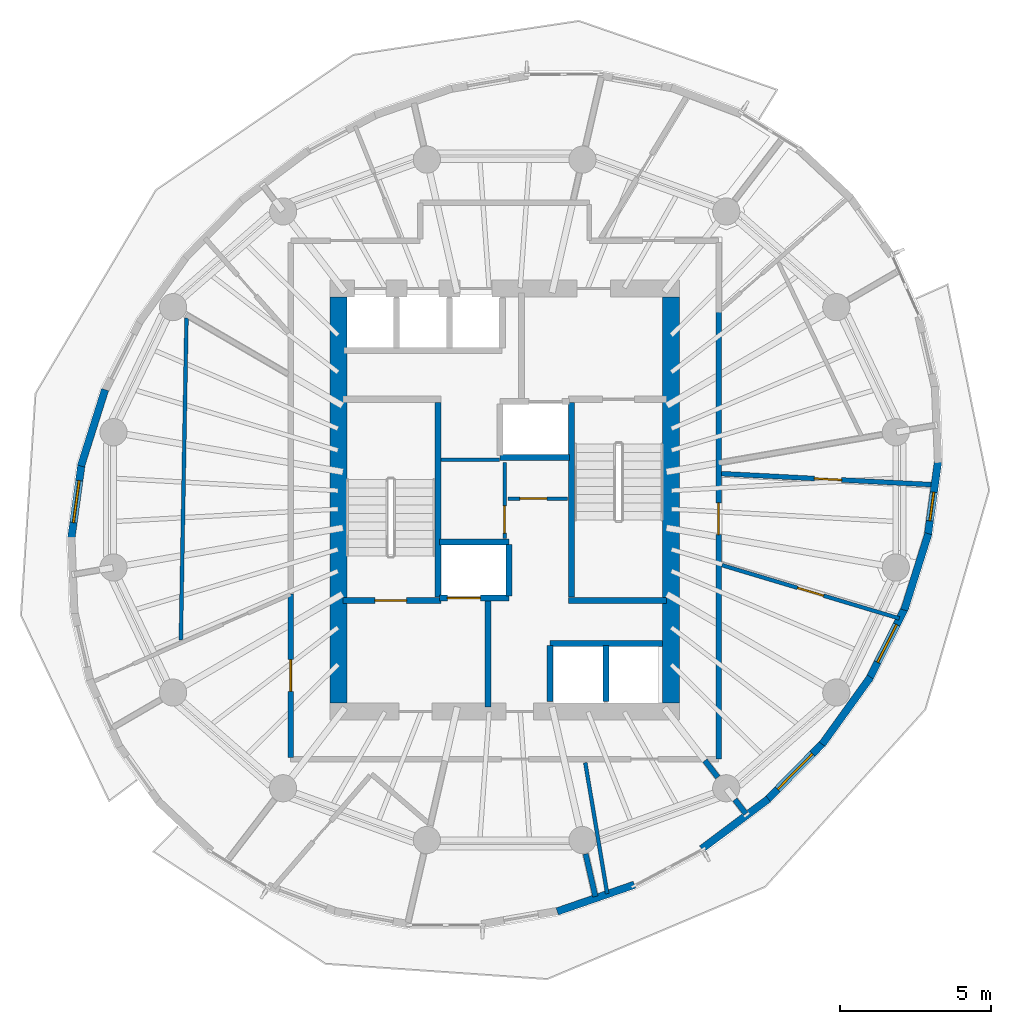
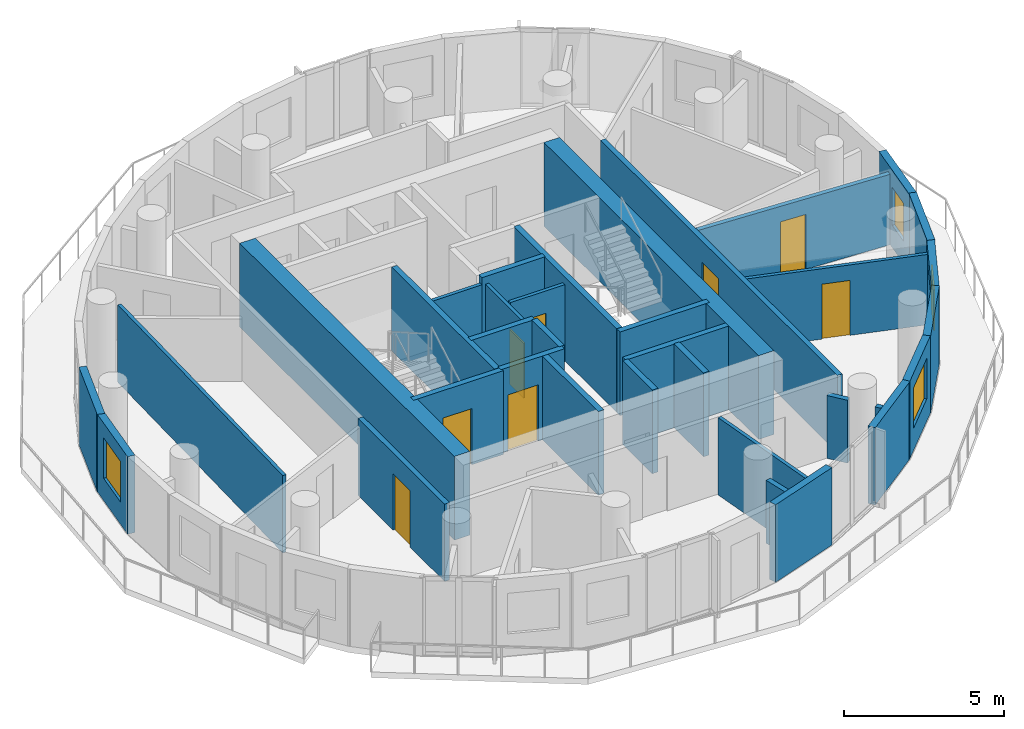
# One storey, part 5 of 10: 35 walls, 8 doors, 4 windows, 12 openings.
"""IFC4 building model written with IfcOpenShell, lengths in metres."""

from ifc_helpers import new_model, si_unit, direction, frame, frame_2d, origin, place, context, subcontext, project, spatial, rectangle, extrude, material, layer, layer_set, type_object, element, fill, save


model = new_model("IFC4")

# Units and contexts
model_context = context("Model", 3, precision=1e-05, world=origin(), true_north=direction((0.0, 1.0)))
body_context = subcontext(model_context, "Body", "Model", "MODEL_VIEW")
ifc_project = project(units=[si_unit("LENGTHUNIT", "METRE"), si_unit("AREAUNIT", "SQUARE_METRE"), si_unit("VOLUMEUNIT", "CUBIC_METRE"), si_unit("PLANEANGLEUNIT", "RADIAN"), si_unit("MASSUNIT", "GRAM", prefix="KILO")], contexts=[model_context])

# Site, building, storey
site_placement = place(None, origin())
site = spatial("IfcSite", under=ifc_project, at=site_placement, CompositionType="ELEMENT")
building_placement = place(site_placement, origin())
building = spatial("IfcBuilding", under=site, at=building_placement, Name="Veldorim Arch Residences", CompositionType="ELEMENT")
storey_placement = place(building_placement, frame((0.0, 0.0, 172.639892578125)))
storey = spatial("IfcBuildingStorey", under=building, at=storey_placement, Name="L51", CompositionType="ELEMENT", Elevation=172.639892578125)

# Wall, opening, door
ifc_material_1 = material(Name="Acoustic Gypsum Board", Category="gypsum")
ifc_layer_1 = layer(ifc_material_1, 0.125, Name="Acoustic Stud Room Partition Wall 125")
ifc_layer_set_1 = layer_set([ifc_layer_1], Name="Acoustic Gypsum Board")
wall_type_1 = type_object("IfcWallType", Name="Acoustic Stud Room Partition Wall 125", PredefinedType="PARTITIONING", material=ifc_layer_set_1)
wall_1_placement = place(storey_placement, frame((32.0, 22.719970703125, 0.0), z_axis=(0.0, 0.0, 1.0), x_axis=(0.0, 1.0, 0.0)))
wall_1 = element("IfcWall", 1, at=wall_1_placement, inside=storey, type_object=wall_type_1, Name="L51 interior wall WL-CA-L51-1", PredefinedType="PARTITIONING", context=body_context, shape_type="SweptSolid", body=[
    extrude(rectangle(XDim=2.52001953125, YDim=0.125, at=frame_2d((1.260009765625, 0.0))), origin(), (0.0, 0.0, 1.0), 2.955078125),
])
opening_1_placement = place(wall_1_placement, frame((0.179931640625, 0.0, 0.0)))
opening_1 = element("IfcOpeningElement", 2, at=opening_1_placement, cuts=wall_1, Name="Opening DR-SVC", PredefinedType="OPENING", context=body_context, shape_type="SweptSolid", body=[
    extrude(rectangle(XDim=0.89990234375, YDim=2.10009765625, at=frame_2d((0.449951171875, 1.050048828125))), frame((0.0, 0.072509765625, 0.0), z_axis=(0.0, -1.0, 0.0), x_axis=(1.0, 0.0, 0.0)), (0.0, 0.0, 1.0), 0.14501953125),
])
ifc_material_2 = material(Name="Fire-Rated Steel", Category="steel")
door_type_1 = type_object("IfcDoorType", Name="Riser, Shelter & Plant Room Rated Steel Door 900x2100", OperationType="SINGLE_SWING_LEFT", PredefinedType="DOOR", material=ifc_material_2)
door_1_placement = place(opening_1_placement, origin())
door_1 = element("IfcDoor", 3, at=door_1_placement, inside=storey, type_object=door_type_1, Name="L51 interior door DR-L51-CA2", OperationType="SINGLE_SWING_RIGHT", OverallHeight=2.10009765625, OverallWidth=0.89990234375, PredefinedType="DOOR", context=body_context, shape_type="SweptSolid", body=[
    extrude(rectangle(XDim=0.89990234375, YDim=2.10009765625, at=frame_2d((0.449951171875, 1.050048828125))), frame((0.0, 0.02490234375, 0.0), z_axis=(0.0, -1.0, 0.0), x_axis=(1.0, 0.0, 0.0)), (0.0, 0.0, 1.0), 0.050048828125),
])
fill(opening_1, door_1)

wall_2_placement = place(storey_placement, frame((32.110107421875, 24.0400390625, 0.0), z_axis=(0.0, 0.0, 1.0), x_axis=(1.0, 0.0, 0.0)))
wall_2 = element("IfcWall", 4, at=wall_2_placement, inside=storey, type_object=wall_type_1, Name="L51 interior wall WL-CA-L51-3", PredefinedType="PARTITIONING", context=body_context, shape_type="SweptSolid", body=[
    extrude(rectangle(XDim=1.969970703125, YDim=0.125, at=frame_2d((0.98486328125, 0.0))), origin(), (0.0, 0.0, 1.0), 2.955078125),
])
opening_2_placement = place(wall_2_placement, frame((0.389892578125, 0.0, 0.0)))
opening_2 = element("IfcOpeningElement", 5, at=opening_2_placement, cuts=wall_2, Name="Opening DR-INT", PredefinedType="OPENING", context=body_context, shape_type="SweptSolid", body=[
    extrude(rectangle(XDim=0.89990234375, YDim=2.10009765625, at=frame_2d((0.449951171875, 1.050048828125))), frame((0.0, 0.072509765625, 0.0), z_axis=(0.0, -1.0, 0.0), x_axis=(1.0, 0.0, 0.0)), (0.0, 0.0, 1.0), 0.14501953125),
])
ifc_material_3 = material(Name="Engineered Timber", Category="wood")
door_type_2 = type_object("IfcDoorType", Name="Apartment Internal Room Timber Door 900x2100", OperationType="SINGLE_SWING_LEFT", PredefinedType="DOOR", material=ifc_material_3)
door_2_placement = place(opening_2_placement, origin())
door_2 = element("IfcDoor", 6, at=door_2_placement, inside=storey, type_object=door_type_2, Name="L51 interior door DR-L51-CA1", OperationType="SINGLE_SWING_LEFT", OverallHeight=2.10009765625, OverallWidth=0.89990234375, PredefinedType="DOOR", context=body_context, shape_type="SweptSolid", body=[
    extrude(rectangle(XDim=0.89990234375, YDim=2.10009765625, at=frame_2d((0.449951171875, 1.050048828125))), frame((0.0, 0.02490234375, 0.0), z_axis=(0.0, -1.0, 0.0), x_axis=(1.0, 0.0, 0.0)), (0.0, 0.0, 1.0), 0.050048828125),
])
fill(opening_2, door_2)

# Walls
wall_3_placement = place(storey_placement, frame((29.889892578125, 25.330078125, 0.0), z_axis=(0.0, 0.0, 1.0), x_axis=(1.0, 0.0, 0.0)))
element("IfcWall", 7, at=wall_3_placement, inside=storey, type_object=wall_type_1, Name="L51 interior wall WL-CA-L51-N", PredefinedType="PARTITIONING", context=body_context, shape_type="SweptSolid", body=[
    extrude(rectangle(XDim=1.940185546875, YDim=0.125, at=frame_2d((0.97021484375, 0.0))), origin(), (0.0, 0.0, 1.0), 2.955078125),
])
wall_4_placement = place(storey_placement, frame((35.3935546875, 10.964599609375, 0.0), z_axis=(0.0, 0.0, 1.0), x_axis=(-0.164741128257, 0.986336839351, 0.0)))
element("IfcWall", 8, at=wall_4_placement, inside=storey, type_object=wall_type_1, Name="L51 interior wall WL-RES-L51-011", PredefinedType="PARTITIONING", context=body_context, shape_type="SweptSolid", body=[
    extrude(rectangle(XDim=4.39697265625, YDim=0.125, at=frame_2d((2.198486328125, 0.0))), origin(), (0.0, 0.0, 1.0), 2.955078125),
])

# Wall, opening, door
wall_5_placement = place(storey_placement, frame((45.06103515625, 20.07666015625, 0.0), z_axis=(0.0, 0.0, 1.0), x_axis=(-0.957731888454, 0.287662353878, 0.0)))
wall_5 = element("IfcWall", 9, at=wall_5_placement, inside=storey, type_object=wall_type_1, Name="L51 interior wall WL-RES-L51-015", PredefinedType="PARTITIONING", context=body_context, shape_type="SweptSolid", body=[
    extrude(rectangle(XDim=6.125, YDim=0.125, at=frame_2d((3.0625, 0.0))), origin(), (0.0, 0.0, 1.0), 2.692138671875),
])
opening_3_placement = place(wall_5_placement, frame((2.612548828125, 0.0, 0.0)))
opening_3 = element("IfcOpeningElement", 10, at=opening_3_placement, cuts=wall_5, Name="Opening DR-INT", PredefinedType="OPENING", context=body_context, shape_type="SweptSolid", body=[
    extrude(rectangle(XDim=0.89990234375, YDim=2.10009765625, at=frame_2d((0.449951171875, 1.050048828125))), frame((0.0, 0.072509765625, 0.0), z_axis=(0.0, -1.0, 0.0), x_axis=(1.0, 0.0, 0.0)), (0.0, 0.0, 1.0), 0.14501953125),
])
door_3_placement = place(opening_3_placement, origin())
door_3 = element("IfcDoor", 11, at=door_3_placement, inside=storey, type_object=door_type_2, Name="L51 interior door DR-RES-L51-005", OperationType="SINGLE_SWING_LEFT", OverallHeight=2.10009765625, OverallWidth=0.89990234375, PredefinedType="DOOR", context=body_context, shape_type="SweptSolid", body=[
    extrude(rectangle(XDim=0.89990234375, YDim=2.10009765625, at=frame_2d((0.449951171875, 1.050048828125))), frame((0.0, 0.02490234375, 0.0), z_axis=(0.0, -1.0, 0.0), x_axis=(1.0, 0.0, 0.0)), (0.0, 0.0, 1.0), 0.050048828125),
])
fill(opening_3, door_3)

# Walls
wall_6_placement = place(storey_placement, frame((21.46923828125, 30.0185546875, 0.0), z_axis=(0.0, 0.0, 1.0), x_axis=(-0.017526694913, -0.999846395686, 0.0)))
element("IfcWall", 12, at=wall_6_placement, inside=storey, type_object=wall_type_1, Name="L51 interior wall WL-RES-L51-027", PredefinedType="PARTITIONING", context=body_context, shape_type="SweptSolid", body=[
    extrude(rectangle(XDim=10.65625, YDim=0.125, at=frame_2d((5.328125, 0.0))), origin(), (0.0, 0.0, 1.0), 2.955078125),
])
ifc_material_4 = material(Name="Lightweight Masonry Block & Gypsum", Category="masonry")
ifc_layer_2 = layer(ifc_material_4, 0.179931640625, Name="Compartment & Corridor Fire-Rated Party Wall 180")
ifc_layer_set_2 = layer_set([ifc_layer_2], Name="Lightweight Masonry Block & Gypsum")
wall_type_2 = type_object("IfcWallType", Name="Compartment & Corridor Fire-Rated Party Wall 180", PredefinedType="PARTITIONING", material=ifc_layer_set_2)
wall_7_placement = place(storey_placement, frame((34.679931640625, 12.282470703125, 0.0), z_axis=(0.0, 0.0, 1.0), x_axis=(0.22299884629, -0.974818708557, 0.0)))
element("IfcWall", 13, at=wall_7_placement, inside=storey, type_object=wall_type_2, Name="L51 interior wall WL-PIER-L51-13", PredefinedType="PARTITIONING", context=body_context, shape_type="SweptSolid", body=[
    extrude(rectangle(XDim=1.447265625, YDim=0.179931640625, at=frame_2d((0.7236328125, 0.0))), origin(), (0.0, 0.0, 1.0), 2.403564453125),
])
wall_8_placement = place(storey_placement, frame((39.619873046875, 14.08203125, 0.0), z_axis=(0.0, 0.0, 1.0), x_axis=(0.609274747308, -0.792959193334, 0.0)))
element("IfcWall", 14, at=wall_8_placement, inside=storey, type_object=wall_type_2, Name="L51 interior wall WL-PIER-L51-14", PredefinedType="PARTITIONING", context=body_context, shape_type="SweptSolid", body=[
    extrude(rectangle(XDim=0.595458984375, YDim=0.179931640625, at=frame_2d((0.2978515625, 0.0))), origin(), (0.0, 0.0, 1.0), 2.403564453125),
])

# Wall, opening, door
wall_9_placement = place(storey_placement, frame((39.080078125, 30.247802734375, 0.0), z_axis=(0.0, 0.0, 1.0), x_axis=(0.0, -1.0, 0.0)))
wall_9 = element("IfcWall", 15, at=wall_9_placement, inside=storey, type_object=wall_type_2, Name="L51 interior wall WL-RES-L51-002", PredefinedType="PARTITIONING", context=body_context, shape_type="SweptSolid", body=[
    extrude(rectangle(XDim=14.827880859375, YDim=0.179931640625, at=frame_2d((7.4140625, 0.0))), origin(), (0.0, 0.0, 1.0), 2.955078125),
])
opening_4_placement = place(wall_9_placement, frame((6.3505859375, 0.0, 0.0)))
opening_4 = element("IfcOpeningElement", 16, at=opening_4_placement, cuts=wall_9, Name="Opening DR-FLT", PredefinedType="OPENING", context=body_context, shape_type="SweptSolid", body=[
    extrude(rectangle(XDim=1.050048828125, YDim=2.14990234375, at=frame_2d((0.52490234375, 1.074951171875))), frame((0.0, 0.099853515625, 0.0), z_axis=(0.0, -1.0, 0.0), x_axis=(1.0, 0.0, 0.0)), (0.0, 0.0, 1.0), 0.199951171875),
])
ifc_material_5 = material(Name="Fire-Rated Timber", Category="wood")
door_type_3 = type_object("IfcDoorType", Name="Apartment Entrance Solid-Core Fire Door 1050x2150", OperationType="SINGLE_SWING_LEFT", PredefinedType="DOOR", material=ifc_material_5)
door_4_placement = place(opening_4_placement, origin())
door_4 = element("IfcDoor", 17, at=door_4_placement, inside=storey, type_object=door_type_3, Name="L51 interior door DR-RES-L51-003", OperationType="SINGLE_SWING_LEFT", OverallHeight=2.14990234375, OverallWidth=1.050048828125, PredefinedType="DOOR", context=body_context, shape_type="SweptSolid", body=[
    extrude(rectangle(XDim=1.050048828125, YDim=2.14990234375, at=frame_2d((0.52490234375, 1.074951171875))), frame((0.0, 0.02490234375, 0.0), z_axis=(0.0, -1.0, 0.0), x_axis=(1.0, 0.0, 0.0)), (0.0, 0.0, 1.0), 0.050048828125),
])
fill(opening_4, door_4)

wall_10_placement = place(storey_placement, frame((24.919921875, 15.47998046875, 0.0), z_axis=(0.0, 0.0, 1.0), x_axis=(0.0, 1.0, 0.0)))
wall_10 = element("IfcWall", 18, at=wall_10_placement, inside=storey, type_object=wall_type_2, Name="L51 interior wall WL-RES-L51-010", PredefinedType="PARTITIONING", context=body_context, shape_type="SweptSolid", body=[
    extrude(rectangle(XDim=5.411865234375, YDim=0.179931640625, at=frame_2d((2.7060546875, 0.0))), origin(), (0.0, 0.0, 1.0), 2.955078125),
])
opening_5_placement = place(wall_10_placement, frame((2.180908203125, 0.0, 0.0)))
opening_5 = element("IfcOpeningElement", 19, at=opening_5_placement, cuts=wall_10, Name="Opening DR-FLT", PredefinedType="OPENING", context=body_context, shape_type="SweptSolid", body=[
    extrude(rectangle(XDim=1.050048828125, YDim=2.14990234375, at=frame_2d((0.52490234375, 1.074951171875))), frame((0.0, 0.099853515625, 0.0), z_axis=(0.0, -1.0, 0.0), x_axis=(1.0, 0.0, 0.0)), (0.0, 0.0, 1.0), 0.199951171875),
])
door_5_placement = place(opening_5_placement, origin())
door_5 = element("IfcDoor", 20, at=door_5_placement, inside=storey, type_object=door_type_3, Name="L51 interior door DR-RES-L51-013", OperationType="SINGLE_SWING_LEFT", OverallHeight=2.14990234375, OverallWidth=1.050048828125, PredefinedType="DOOR", context=body_context, shape_type="SweptSolid", body=[
    extrude(rectangle(XDim=1.050048828125, YDim=2.14990234375, at=frame_2d((0.52490234375, 1.074951171875))), frame((0.0, 0.02490234375, 0.0), z_axis=(0.0, -1.0, 0.0), x_axis=(1.0, 0.0, 0.0)), (0.0, 0.0, 1.0), 0.050048828125),
])
fill(opening_5, door_5)

# Walls
wall_11_placement = place(storey_placement, frame((38.62841796875, 15.372314453125, 0.0), z_axis=(0.0, 0.0, 1.0), x_axis=(0.609304996033, -0.792935950635, 0.0)))
element("IfcWall", 21, at=wall_11_placement, inside=storey, type_object=wall_type_2, Name="L51 interior wall WL-RES-L51-012", PredefinedType="PARTITIONING", context=body_context, shape_type="SweptSolid", body=[
    extrude(rectangle(XDim=0.697998046875, YDim=0.179931640625, at=frame_2d((0.34912109375, 0.0))), origin(), (0.0, 0.0, 1.0), 2.403564453125),
])
ifc_material_6 = material(Name="Concrete C50/60", Category="concrete")
ifc_layer_3 = layer(ifc_material_6, 0.199951171875, Name="Core Stair & Lift Shaft Enclosure Wall 200")
ifc_layer_set_3 = layer_set([ifc_layer_3], Name="Concrete C50/60")
wall_type_3 = type_object("IfcWallType", Name="Core Stair & Lift Shaft Enclosure Wall 200", PredefinedType="SHEAR", material=ifc_layer_set_3)
wall_12_placement = place(storey_placement, frame((29.7900390625, 20.780029296875, 0.0), z_axis=(0.0, 0.0, 1.0), x_axis=(0.0, 1.0, 0.0)))
element("IfcWall", 22, at=wall_12_placement, inside=storey, type_object=wall_type_3, Name="L51 shaft wall WL-SHF-L51-ST1-E", PredefinedType="SHEAR", context=body_context, shape_type="SweptSolid", body=[
    extrude(rectangle(XDim=6.43994140625, YDim=0.199951171875, at=frame_2d((3.219970703125, 0.0))), origin(), (0.0, 0.0, 1.0), 3.2001953125),
])

# Wall, opening, door
wall_13_placement = place(storey_placement, frame((26.64990234375, 20.669921875, 0.0), z_axis=(0.0, 0.0, 1.0), x_axis=(1.0, 0.0, 0.0)))
wall_13 = element("IfcWall", 23, at=wall_13_placement, inside=storey, type_object=wall_type_3, Name="L51 shaft wall WL-SHF-L51-ST1-S", PredefinedType="SHEAR", context=body_context, shape_type="SweptSolid", body=[
    extrude(rectangle(XDim=3.239990234375, YDim=0.199951171875, at=frame_2d((1.6201171875, 0.0))), origin(), (0.0, 0.0, 1.0), 3.2001953125),
])
opening_6_placement = place(wall_13_placement, frame((1.054931640625, 0.0, 0.0)))
opening_6 = element("IfcOpeningElement", 24, at=opening_6_placement, cuts=wall_13, Name="Opening DR-ST", PredefinedType="OPENING", context=body_context, shape_type="SweptSolid", body=[
    extrude(rectangle(XDim=1.050048828125, YDim=2.14990234375, at=frame_2d((0.52490234375, 1.074951171875))), frame((0.0, 0.10986328125, 0.0), z_axis=(0.0, -1.0, 0.0), x_axis=(1.0, 0.0, 0.0)), (0.0, 0.0, 1.0), 0.219970703125),
])
ifc_material_7 = material(Name="Fire-Rated Steel", Category="steel")
door_type_4 = type_object("IfcDoorType", Name="Exit Staircase Self-Closing Fire Door 1050x2150", OperationType="SINGLE_SWING_LEFT", PredefinedType="DOOR", material=ifc_material_7)
door_6_placement = place(opening_6_placement, origin())
door_6 = element("IfcDoor", 25, at=door_6_placement, inside=storey, type_object=door_type_4, Name="L51 interior door DR-L51-ST1", OperationType="SINGLE_SWING_LEFT", OverallHeight=2.14990234375, OverallWidth=1.050048828125, PredefinedType="DOOR", context=body_context, shape_type="SweptSolid", body=[
    extrude(rectangle(XDim=1.050048828125, YDim=2.14990234375, at=frame_2d((0.52490234375, 1.074951171875))), frame((0.0, 0.02490234375, 0.0), z_axis=(0.0, -1.0, 0.0), x_axis=(1.0, 0.0, 0.0)), (0.0, 0.0, 1.0), 0.050048828125),
])
fill(opening_6, door_6)

# Walls
wall_14_placement = place(storey_placement, frame((34.2099609375, 20.780029296875, 0.0), z_axis=(0.0, 0.0, 1.0), x_axis=(0.0, 1.0, 0.0)))
element("IfcWall", 26, at=wall_14_placement, inside=storey, type_object=wall_type_3, Name="L51 shaft wall WL-SHF-L51-ST2-W", PredefinedType="SHEAR", context=body_context, shape_type="SweptSolid", body=[
    extrude(rectangle(XDim=6.43994140625, YDim=0.199951171875, at=frame_2d((3.219970703125, 0.0))), origin(), (0.0, 0.0, 1.0), 3.2001953125),
])
wall_15_placement = place(storey_placement, frame((34.110107421875, 20.669921875, 0.0), z_axis=(0.0, 0.0, 1.0), x_axis=(1.0, 0.0, 0.0)))
element("IfcWall", 27, at=wall_15_placement, inside=storey, type_object=wall_type_3, Name="L51 shaft wall WL-SHF-L51-ST2-S", PredefinedType="SHEAR", context=body_context, shape_type="SweptSolid", body=[
    extrude(rectangle(XDim=3.239990234375, YDim=0.199951171875, at=frame_2d((1.6201171875, 0.0))), origin(), (0.0, 0.0, 1.0), 3.2001953125),
])
wall_16_placement = place(storey_placement, frame((31.449951171875, 17.14990234375, 0.0), z_axis=(0.0, 0.0, 1.0), x_axis=(0.0, 1.0, 0.0)))
element("IfcWall", 28, at=wall_16_placement, inside=storey, type_object=wall_type_3, Name="L51 shaft wall WL-FFL1-L51-E", PredefinedType="SHEAR", context=body_context, shape_type="SweptSolid", body=[
    extrude(rectangle(XDim=3.5, YDim=0.199951171875, at=frame_2d((1.75, 0.0))), origin(), (0.0, 0.0, 1.0), 3.2001953125),
])

# Wall, opening, door
wall_17_placement = place(storey_placement, frame((29.85009765625, 20.75, 0.0), z_axis=(0.0, 0.0, 1.0), x_axis=(1.0, 0.0, 0.0)))
wall_17 = element("IfcWall", 29, at=wall_17_placement, inside=storey, type_object=wall_type_3, Name="L51 shaft wall WL-FL01-L51-S", PredefinedType="SHEAR", context=body_context, shape_type="SweptSolid", body=[
    extrude(rectangle(XDim=2.2998046875, YDim=0.199951171875, at=frame_2d((1.14990234375, 0.0))), origin(), (0.0, 0.0, 1.0), 3.2001953125),
])
opening_7_placement = place(wall_17_placement, frame((0.25, 0.0, 0.0)))
opening_7 = element("IfcOpeningElement", 30, at=opening_7_placement, cuts=wall_17, Name="Opening LD-FF", PredefinedType="OPENING", context=body_context, shape_type="SweptSolid", body=[
    extrude(rectangle(XDim=1.10009765625, YDim=2.14990234375, at=frame_2d((0.550048828125, 1.074951171875))), frame((0.0, 0.10986328125, 0.0), z_axis=(0.0, -1.0, 0.0), x_axis=(1.0, 0.0, 0.0)), (0.0, 0.0, 1.0), 0.219970703125),
])
ifc_material_8 = material(Name="Stainless Steel", Category="steel")
door_type_5 = type_object("IfcDoorType", Name="Firefighting Lift Bi-Parting Sliding Landing Door 1100x2150", OperationType="DOUBLE_DOOR_SLIDING", PredefinedType="DOOR", material=ifc_material_8)
door_7_placement = place(opening_7_placement, origin())
door_7 = element("IfcDoor", 31, at=door_7_placement, inside=storey, type_object=door_type_5, Name="L51 lift landing door LD-L51-FL01", OperationType="DOUBLE_DOOR_SLIDING", OverallHeight=2.14990234375, OverallWidth=1.10009765625, PredefinedType="DOOR", context=body_context, shape_type="SweptSolid", body=[
    extrude(rectangle(XDim=1.10009765625, YDim=2.14990234375, at=frame_2d((0.550048828125, 1.074951171875))), frame((0.0, 0.02490234375, 0.0), z_axis=(0.0, -1.0, 0.0), x_axis=(1.0, 0.0, 0.0)), (0.0, 0.0, 1.0), 0.050048828125),
])
fill(opening_7, door_7)

# Walls
wall_18_placement = place(storey_placement, frame((29.85009765625, 22.60009765625, 0.0), z_axis=(0.0, 0.0, 1.0), x_axis=(1.0, 0.0, 0.0)))
element("IfcWall", 32, at=wall_18_placement, inside=storey, type_object=wall_type_3, Name="L51 shaft wall WL-FL01-L51-N", PredefinedType="SHEAR", context=body_context, shape_type="SweptSolid", body=[
    extrude(rectangle(XDim=2.2998046875, YDim=0.199951171875, at=frame_2d((1.14990234375, 0.0))), origin(), (0.0, 0.0, 1.0), 3.2001953125),
])
wall_19_placement = place(storey_placement, frame((32.14990234375, 20.820068359375, 0.0), z_axis=(0.0, 0.0, 1.0), x_axis=(0.0, 1.0, 0.0)))
element("IfcWall", 33, at=wall_19_placement, inside=storey, type_object=wall_type_3, Name="L51 shaft wall WL-FL01-L51-E", PredefinedType="SHEAR", context=body_context, shape_type="SweptSolid", body=[
    extrude(rectangle(XDim=1.7099609375, YDim=0.199951171875, at=frame_2d((0.85498046875, 0.0))), origin(), (0.0, 0.0, 1.0), 3.2001953125),
])
wall_20_placement = place(storey_placement, frame((31.85009765625, 25.39990234375, 0.0), z_axis=(0.0, 0.0, 1.0), x_axis=(1.0, 0.0, 0.0)))
element("IfcWall", 34, at=wall_20_placement, inside=storey, type_object=wall_type_3, Name="L51 shaft wall WL-FL02-L51-S", PredefinedType="SHEAR", context=body_context, shape_type="SweptSolid", body=[
    extrude(rectangle(XDim=2.2998046875, YDim=0.199951171875, at=frame_2d((1.14990234375, 0.0))), origin(), (0.0, 0.0, 1.0), 3.2001953125),
])
wall_21_placement = place(storey_placement, frame((33.5, 19.25, 0.0), z_axis=(0.0, 0.0, 1.0), x_axis=(1.0, 0.0, 0.0)))
element("IfcWall", 35, at=wall_21_placement, inside=storey, type_object=wall_type_3, Name="L51 shaft wall WL-OL-L51-N", PredefinedType="SHEAR", context=body_context, shape_type="SweptSolid", body=[
    extrude(rectangle(XDim=3.719970703125, YDim=0.199951171875, at=frame_2d((1.85986328125, 0.0))), origin(), (0.0, 0.0, 1.0), 3.2001953125),
])
for number, where, z_axis, x_axis, name in (
    (36, (33.5, 17.320068359375, 0.0), (0.0, 0.0, 1.0), (0.0, 1.0, 0.0), "L51 shaft wall WL-OL-L51-W"),
    (37, (35.35009765625, 17.320068359375, 0.0), (0.0, 0.0, 1.0), (0.0, 1.0, 0.0), "L51 shaft wall WL-OL-L51-D1"),
):
    element("IfcWall", number, at=place(storey_placement, frame(where, z_axis=z_axis, x_axis=x_axis)), inside=storey, type_object=wall_type_3, Name=name, PredefinedType="SHEAR", context=body_context, shape_type="SweptSolid", body=[
        extrude(rectangle(XDim=1.85986328125, YDim=0.199951171875, at=frame_2d((0.929931640625, 0.0))), origin(), (0.0, 0.0, 1.0), 3.2001953125),
    ])
ifc_material_9 = material(Name="Precast concrete C40/50", Category="concrete")
ifc_layer_4 = layer(ifc_material_9, 0.25, Name="Tower Terracotta Spandrel & Pier Wall 250")
ifc_layer_set_4 = layer_set([ifc_layer_4], Name="Precast concrete C40/50")
wall_type_4 = type_object("IfcWallType", Name="Tower Terracotta Spandrel & Pier Wall 250", PredefinedType="SOLIDWALL", material=ifc_layer_set_4)
wall_22_placement = place(storey_placement, frame((17.97607421875, 25.120361328125, 0.0), z_axis=(0.0, 0.0, 1.0), x_axis=(0.300796358401, 0.953688392911, 0.0)))
element("IfcWall", 38, at=wall_22_placement, inside=storey, type_object=wall_type_4, Name="L51 terracotta facade wall 13", PredefinedType="SOLIDWALL", context=body_context, shape_type="SweptSolid", body=[
    extrude(rectangle(XDim=2.65087890625, YDim=0.25, at=frame_2d((1.325439453125, 0.0))), origin(), (0.0, 0.0, 1.0), 2.960205078125),
])

# Wall, opening, window
wall_23_placement = place(storey_placement, frame((17.64697265625, 22.660400390625, 0.0), z_axis=(0.0, 0.0, 1.0), x_axis=(0.136289981327, 0.990668986589, 0.0)))
wall_23 = element("IfcWall", 39, at=wall_23_placement, inside=storey, type_object=wall_type_4, Name="L51 terracotta facade wall 14", PredefinedType="SOLIDWALL", context=body_context, shape_type="SweptSolid", body=[
    extrude(rectangle(XDim=2.592041015625, YDim=0.25, at=frame_2d((1.2958984375, 0.0))), origin(), (0.0, 0.0, 1.0), 2.960205078125),
])
opening_8_placement = place(wall_23_placement, frame((0.595947265625, 0.0, 0.85009765625)))
opening_8 = element("IfcOpeningElement", 40, at=opening_8_placement, cuts=wall_23, Name="Opening WN-02", PredefinedType="OPENING", context=body_context, shape_type="SweptSolid", body=[
    extrude(rectangle(XDim=1.39990234375, YDim=1.550048828125, at=frame_2d((0.699951171875, 0.77490234375))), frame((0.0, 0.135009765625, 0.0), z_axis=(0.0, -1.0, 0.0), x_axis=(1.0, 0.0, 0.0)), (0.0, 0.0, 1.0), 0.27001953125),
])
ifc_material_10 = material(Name="Laminated Low-E Glass", Category="glass")
window_type_1 = type_object("IfcWindowType", Name="Residential Casement Window 1400x1550", PartitioningType="SINGLE_PANEL", PredefinedType="WINDOW", material=ifc_material_10)
window_1_placement = place(opening_8_placement, origin())
window_1 = element("IfcWindow", 41, at=window_1_placement, inside=storey, type_object=window_type_1, Name="L51 solar-control facade window 14", OverallHeight=1.550048828125, OverallWidth=1.39990234375, PartitioningType="SINGLE_PANEL", PredefinedType="WINDOW", context=body_context, shape_type="SweptSolid", body=[
    extrude(rectangle(XDim=1.39990234375, YDim=1.550048828125, at=frame_2d((0.699951171875, 0.77490234375))), frame((0.0, 0.030029296875, 0.0), z_axis=(0.0, -1.0, 0.0), x_axis=(1.0, 0.0, 0.0)), (0.0, 0.0, 1.0), 0.06005859375),
])
fill(opening_8, window_1)

# Walls
wall_24_placement = place(storey_placement, frame((36.294921875, 11.2607421875, 0.0), z_axis=(0.0, 0.0, 1.0), x_axis=(-0.945016150651, -0.327023661236, 0.0)))
element("IfcWall", 42, at=wall_24_placement, inside=storey, type_object=wall_type_4, Name="L51 terracotta facade wall 25", PredefinedType="SOLIDWALL", context=body_context, shape_type="SweptSolid", body=[
    extrude(rectangle(XDim=2.70166015625, YDim=0.25, at=frame_2d((1.350830078125, 0.0))), origin(), (0.0, 0.0, 1.0), 2.960205078125),
])
wall_25_placement = place(storey_placement, frame((40.727783203125, 14.0986328125, 0.0), z_axis=(0.0, 0.0, 1.0), x_axis=(-0.800636941996, -0.599149803564, 0.0)))
element("IfcWall", 43, at=wall_25_placement, inside=storey, type_object=wall_type_4, Name="L51 terracotta facade wall 27", PredefinedType="SOLIDWALL", context=body_context, shape_type="SweptSolid", body=[
    extrude(rectangle(XDim=2.7578125, YDim=0.25, at=frame_2d((1.37890625, 0.0))), origin(), (0.0, 0.0, 1.0), 2.960205078125),
])

# Wall, opening, window
wall_26_placement = place(storey_placement, frame((42.578857421875, 15.99462890625, 0.0), z_axis=(0.0, 0.0, 1.0), x_axis=(-0.700794099323, -0.713363603189, 0.0)))
wall_26 = element("IfcWall", 44, at=wall_26_placement, inside=storey, type_object=wall_type_4, Name="L51 terracotta facade wall 28", PredefinedType="SOLIDWALL", context=body_context, shape_type="SweptSolid", body=[
    extrude(rectangle(XDim=2.758056640625, YDim=0.25, at=frame_2d((1.37890625, 0.0))), origin(), (0.0, 0.0, 1.0), 2.960205078125),
])
opening_9_placement = place(wall_26_placement, frame((0.553955078125, 0.0, 0.85009765625)))
opening_9 = element("IfcOpeningElement", 45, at=opening_9_placement, cuts=wall_26, Name="Opening WN-03", PredefinedType="OPENING", context=body_context, shape_type="SweptSolid", body=[
    extrude(rectangle(XDim=1.64990234375, YDim=1.550048828125, at=frame_2d((0.824951171875, 0.77490234375))), frame((0.0, 0.135009765625, 0.0), z_axis=(0.0, -1.0, 0.0), x_axis=(1.0, 0.0, 0.0)), (0.0, 0.0, 1.0), 0.27001953125),
])
ifc_material_11 = material(Name="Laminated Low-E Glass", Category="glass")
window_type_2 = type_object("IfcWindowType", Name="Residential Wide Window 1650x1550", PartitioningType="SINGLE_PANEL", PredefinedType="WINDOW", material=ifc_material_11)
window_2_placement = place(opening_9_placement, origin())
window_2 = element("IfcWindow", 46, at=window_2_placement, inside=storey, type_object=window_type_2, Name="L51 solar-control facade window 28", OverallHeight=1.550048828125, OverallWidth=1.64990234375, PartitioningType="SINGLE_PANEL", PredefinedType="WINDOW", context=body_context, shape_type="SweptSolid", body=[
    extrude(rectangle(XDim=1.64990234375, YDim=1.550048828125, at=frame_2d((0.824951171875, 0.77490234375))), frame((0.0, 0.030029296875, 0.0), z_axis=(0.0, -1.0, 0.0), x_axis=(1.0, 0.0, 0.0)), (0.0, 0.0, 1.0), 0.06005859375),
])
fill(opening_9, window_2)

# Wall
wall_27_placement = place(storey_placement, frame((44.107666015625, 18.134521484375, 0.0), z_axis=(0.0, 0.0, 1.0), x_axis=(-0.583975860001, -0.811771023711, 0.0)))
element("IfcWall", 47, at=wall_27_placement, inside=storey, type_object=wall_type_4, Name="L51 terracotta facade wall 29", PredefinedType="SOLIDWALL", context=body_context, shape_type="SweptSolid", body=[
    extrude(rectangle(XDim=2.73828125, YDim=0.25, at=frame_2d((1.369140625, 0.0))), origin(), (0.0, 0.0, 1.0), 2.960205078125),
])

# Wall, opening, window
wall_28_placement = place(storey_placement, frame((45.267822265625, 20.453369140625, 0.0), z_axis=(0.0, 0.0, 1.0), x_axis=(-0.450391703917, -0.892831066352, 0.0)))
wall_28 = element("IfcWall", 48, at=wall_28_placement, inside=storey, type_object=wall_type_4, Name="L51 terracotta facade wall 30", PredefinedType="SOLIDWALL", context=body_context, shape_type="SweptSolid", body=[
    extrude(rectangle(XDim=2.70166015625, YDim=0.25, at=frame_2d((1.350830078125, 0.0))), origin(), (0.0, 0.0, 1.0), 2.960205078125),
])
opening_10_placement = place(wall_28_placement, frame((0.65087890625, 0.0, 0.85009765625)))
opening_10 = element("IfcOpeningElement", 49, at=opening_10_placement, cuts=wall_28, Name="Opening WN-02", PredefinedType="OPENING", context=body_context, shape_type="SweptSolid", body=[
    extrude(rectangle(XDim=1.39990234375, YDim=1.550048828125, at=frame_2d((0.699951171875, 0.77490234375))), frame((0.0, 0.135009765625, 0.0), z_axis=(0.0, -1.0, 0.0), x_axis=(1.0, 0.0, 0.0)), (0.0, 0.0, 1.0), 0.27001953125),
])
window_3_placement = place(opening_10_placement, origin())
window_3 = element("IfcWindow", 50, at=window_3_placement, inside=storey, type_object=window_type_1, Name="L51 solar-control facade window 30", OverallHeight=1.550048828125, OverallWidth=1.39990234375, PartitioningType="SINGLE_PANEL", PredefinedType="WINDOW", context=body_context, shape_type="SweptSolid", body=[
    extrude(rectangle(XDim=1.39990234375, YDim=1.550048828125, at=frame_2d((0.699951171875, 0.77490234375))), frame((0.0, 0.030029296875, 0.0), z_axis=(0.0, -1.0, 0.0), x_axis=(1.0, 0.0, 0.0)), (0.0, 0.0, 1.0), 0.06005859375),
])
fill(opening_10, window_3)

# Wall
wall_29_placement = place(storey_placement, frame((46.02392578125, 22.879638671875, 0.0), z_axis=(0.0, 0.0, 1.0), x_axis=(-0.300796358401, -0.953688392911, 0.0)))
element("IfcWall", 51, at=wall_29_placement, inside=storey, type_object=wall_type_4, Name="L51 terracotta facade wall 31", PredefinedType="SOLIDWALL", context=body_context, shape_type="SweptSolid", body=[
    extrude(rectangle(XDim=2.65087890625, YDim=0.25, at=frame_2d((1.325439453125, 0.0))), origin(), (0.0, 0.0, 1.0), 2.960205078125),
])

# Wall, opening, window
wall_30_placement = place(storey_placement, frame((46.35302734375, 25.339599609375, 0.0), z_axis=(0.0, 0.0, 1.0), x_axis=(-0.136289981327, -0.990668986589, 0.0)))
wall_30 = element("IfcWall", 52, at=wall_30_placement, inside=storey, type_object=wall_type_4, Name="L51 terracotta facade wall 32", PredefinedType="SOLIDWALL", context=body_context, shape_type="SweptSolid", body=[
    extrude(rectangle(XDim=2.592041015625, YDim=0.25, at=frame_2d((1.2958984375, 0.0))), origin(), (0.0, 0.0, 1.0), 2.960205078125),
])
opening_11_placement = place(wall_30_placement, frame((1.097900390625, 0.0, 0.85009765625)))
opening_11 = element("IfcOpeningElement", 53, at=opening_11_placement, cuts=wall_30, Name="Opening WN-05", PredefinedType="OPENING", context=body_context, shape_type="SweptSolid", body=[
    extrude(rectangle(XDim=0.949951171875, YDim=1.449951171875, at=frame_2d((0.47509765625, 0.72509765625))), frame((0.0, 0.135009765625, 0.0), z_axis=(0.0, -1.0, 0.0), x_axis=(1.0, 0.0, 0.0)), (0.0, 0.0, 1.0), 0.27001953125),
])
ifc_material_12 = material(Name="Laminated Low-E Glass", Category="glass")
window_type_3 = type_object("IfcWindowType", Name="Residential Compact Casement Window 950x1450", PartitioningType="SINGLE_PANEL", PredefinedType="WINDOW", material=ifc_material_12)
window_4_placement = place(opening_11_placement, origin())
window_4 = element("IfcWindow", 54, at=window_4_placement, inside=storey, type_object=window_type_3, Name="L51 solar-control facade window 32", OverallHeight=1.449951171875, OverallWidth=0.949951171875, PartitioningType="SINGLE_PANEL", PredefinedType="WINDOW", context=body_context, shape_type="SweptSolid", body=[
    extrude(rectangle(XDim=0.949951171875, YDim=1.449951171875, at=frame_2d((0.47509765625, 0.72509765625))), frame((0.0, 0.030029296875, 0.0), z_axis=(0.0, -1.0, 0.0), x_axis=(1.0, 0.0, 0.0)), (0.0, 0.0, 1.0), 0.06005859375),
])
fill(opening_11, window_4)

# Walls
ifc_material_13 = material(Name="Concrete C50/60", Category="concrete")
ifc_layer_5 = layer(ifc_material_13, 0.5, Name="Upper Central Core Shear Wall 560")
ifc_layer_set_5 = layer_set([ifc_layer_5], Name="Concrete C50/60")
wall_type_5 = type_object("IfcWallType", Name="Upper Central Core Shear Wall 560", PredefinedType="SHEAR", material=ifc_layer_set_5)
for number, where, z_axis, x_axis, name in (
    (55, (26.5, 17.280029296875, 0.0), (0.0, 0.0, 1.0), (0.0, 1.0, 0.0), "L51 central core west shear wall"),
    (56, (37.5, 17.280029296875, 0.0), (0.0, 0.0, 1.0), (0.0, 1.0, 0.0), "L51 central core east shear wall"),
):
    element("IfcWall", number, at=place(storey_placement, frame(where, z_axis=z_axis, x_axis=x_axis)), inside=storey, type_object=wall_type_5, Name=name, PredefinedType="SHEAR", context=body_context, shape_type="SweptSolid", body=[
        extrude(rectangle(XDim=13.43994140625, YDim=0.56005859375, at=frame_2d((6.719970703125, 0.0))), origin(), (0.0, 0.0, 1.0), 3.2001953125),
    ])

# Wall, opening, door
ifc_material_14 = material(Name="Moisture-Resistant Gypsum & Stud", Category="gypsum")
ifc_layer_6 = layer(ifc_material_14, 0.159912109375, Name="Wet-Area Moisture-Resistant Plumbing Wall 160")
ifc_layer_set_6 = layer_set([ifc_layer_6], Name="Moisture-Resistant Gypsum & Stud")
wall_type_6 = type_object("IfcWallType", Name="Wet-Area Moisture-Resistant Plumbing Wall 160", PredefinedType="PLUMBINGWALL", material=ifc_layer_set_6)
wall_31_placement = place(storey_placement, frame((39.179931640625, 24.86669921875, 0.0), z_axis=(0.0, 0.0, 1.0), x_axis=(0.998636225788, -0.052208127179, 0.0)))
wall_31 = element("IfcWall", 57, at=wall_31_placement, inside=storey, type_object=wall_type_6, Name="L51 interior wall WL-RES-L51-014", PredefinedType="PLUMBINGWALL", context=body_context, shape_type="SweptSolid", body=[
    extrude(rectangle(XDim=7.0517578125, YDim=0.159912109375, at=frame_2d((3.52587890625, 0.0))), origin(), (0.0, 0.0, 1.0), 2.692138671875),
])
opening_12_placement = place(wall_31_placement, frame((3.075927734375, 0.0, 0.0)))
opening_12 = element("IfcOpeningElement", 58, at=opening_12_placement, cuts=wall_31, Name="Opening DR-WC", PredefinedType="OPENING", context=body_context, shape_type="SweptSolid", body=[
    extrude(rectangle(XDim=0.89990234375, YDim=2.10009765625, at=frame_2d((0.449951171875, 1.050048828125))), frame((0.0, 0.08984375, 0.0), z_axis=(0.0, -1.0, 0.0), x_axis=(1.0, 0.0, 0.0)), (0.0, 0.0, 1.0), 0.179931640625),
])
ifc_material_15 = material(Name="Laminate Timber", Category="wood")
door_type_6 = type_object("IfcDoorType", Name="Bathroom & Accessible WC Moisture-Sealed Door 900x2100", OperationType="SINGLE_SWING_LEFT", PredefinedType="DOOR", material=ifc_material_15)
door_8_placement = place(opening_12_placement, origin())
door_8 = element("IfcDoor", 59, at=door_8_placement, inside=storey, type_object=door_type_6, Name="L51 interior door DR-RES-L51-004", OperationType="SINGLE_SWING_RIGHT", OverallHeight=2.10009765625, OverallWidth=0.89990234375, PredefinedType="DOOR", context=body_context, shape_type="SweptSolid", body=[
    extrude(rectangle(XDim=0.89990234375, YDim=2.10009765625, at=frame_2d((0.449951171875, 1.050048828125))), frame((0.0, 0.02490234375, 0.0), z_axis=(0.0, -1.0, 0.0), x_axis=(1.0, 0.0, 0.0)), (0.0, 0.0, 1.0), 0.050048828125),
])
fill(opening_12, door_8)

save(model, "model.ifc")
